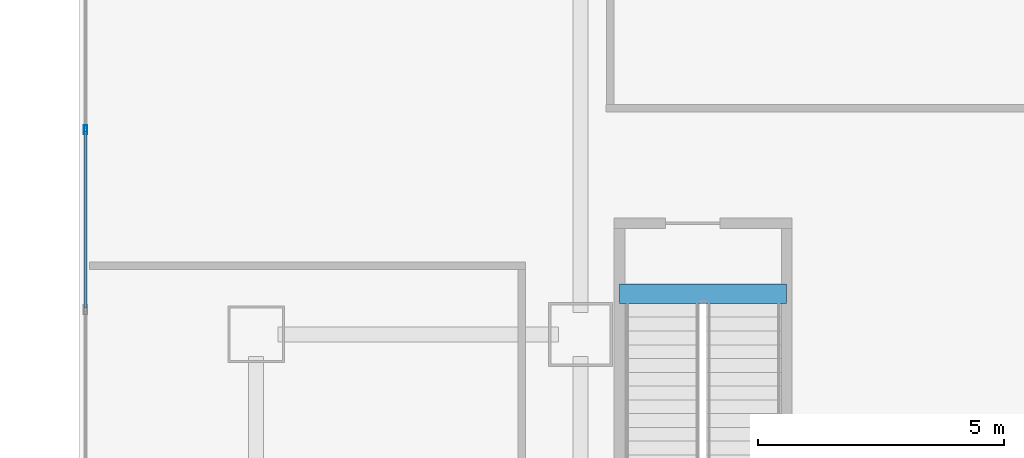
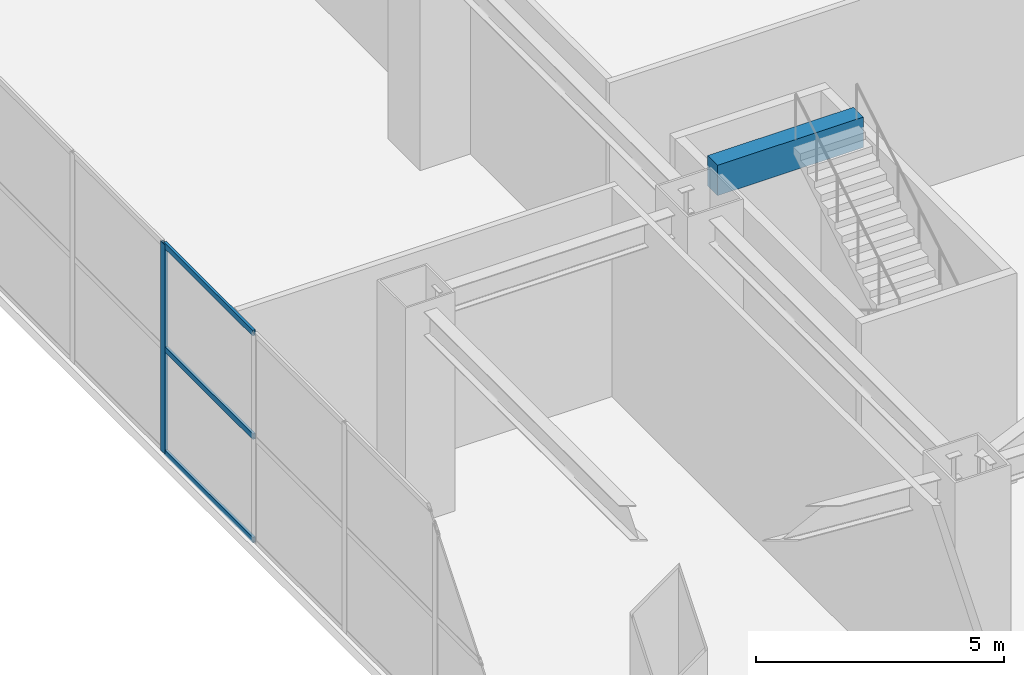
# One storey, part 9 of 37: 4 members, 1 beam, 1 element without a shape of its own.
"""IFC4 building model written with IfcOpenShell, lengths in metres."""

from ifc_helpers import new_model, si_unit, direction, frame, origin, origin_2d, place, context, subcontext, project, spatial, rectangle, hollow_rectangle, extrude, material, layer, layer_set, material_profile, profile_set, type_object, element, aggregate, save


model = new_model("IFC4")

# Units and contexts
model_context = context("Model", 3, precision=1e-05, world=origin(), true_north=direction((0.0, 1.0)))
body_context = subcontext(model_context, "Body", "Model", "MODEL_VIEW")
ifc_project = project(units=[si_unit("LENGTHUNIT", "METRE"), si_unit("AREAUNIT", "SQUARE_METRE"), si_unit("VOLUMEUNIT", "CUBIC_METRE"), si_unit("PLANEANGLEUNIT", "RADIAN"), si_unit("MASSUNIT", "GRAM", prefix="KILO")], contexts=[model_context])

# Site, building, storey
site_placement = place(None, origin())
site = spatial("IfcSite", under=ifc_project, at=site_placement, CompositionType="ELEMENT")
building_placement = place(site_placement, origin())
building = spatial("IfcBuilding", under=site, at=building_placement, Name="Haolan Belvedere Tower", CompositionType="ELEMENT")
storey_placement = place(building_placement, frame((0.0, 0.0, 10.199951171875)))
storey = spatial("IfcBuildingStorey", under=building, at=storey_placement, Name="L02", CompositionType="ELEMENT", Elevation=10.199951171875)

# Beam
ifc_material_1 = material(Name="Concrete C50/60", Category="concrete")
ifc_material_profile_1 = material_profile(ifc_material_1, rectangle(XDim=0.39990234375, YDim=0.75, at=origin_2d()), Name="Concrete C50/60")
ifc_profile_set_1 = profile_set([ifc_material_profile_1], Name="Concrete C50/60")
beam_type = type_object("IfcBeamType", Name="BM-RC400x750", PredefinedType="T_BEAM", material=ifc_profile_set_1)
beam_placement = place(storey_placement, frame((13.389892578125, 28.429931640625, 5.025146484375), z_axis=(1.0, 0.0, 0.0), x_axis=(0.0, 1.0, 0.0)))
element("IfcBeam", 1, at=beam_placement, inside=storey, type_object=beam_type, Name="L03 podium stair ST4 RC header trimmer beam", PredefinedType="BEAM", context=body_context, shape_type="SweptSolid", body=[
    extrude(rectangle(XDim=0.39990234375, YDim=0.75, at=origin_2d()), origin(), (0.0, 0.0, 1.0), 3.400146484375),
])

# Curtain wall, members
ifc_material_2 = material(Name="Anodised champagne-silver aluminium 6063-T6 and Low-E glass", Category="aluminium")
ifc_layer = layer(ifc_material_2, 0.179931640625, Name="Anodised champagne-silver aluminium 6063-T6 and Low-E glass")
ifc_layer_set = layer_set([ifc_layer], Name="Anodised champagne-silver aluminium 6063-T6 and Low-E glass")
curtain_wall_type = type_object("IfcCurtainWallType", Name="CW-SYS-01", PredefinedType="NOTDEFINED", material=ifc_layer_set)
curtain_wall_placement = place(storey_placement, origin())
curtain_wall = element("IfcCurtainWall", 2, at=curtain_wall_placement, inside=storey, type_object=curtain_wall_type, Name="L02 CW-SYS-01 ribbon curtain wall 4.1", PredefinedType="NOTDEFINED")
ifc_material_3 = material(Name="Anodised aluminium 6063-T6", Category="aluminium")
ifc_material_profile_2 = material_profile(ifc_material_3, hollow_rectangle(XDim=0.06494140625, YDim=0.179931640625, WallThickness=0.00390625, at=origin_2d()), Name="Anodised aluminium 6063-T6")
ifc_profile_set_2 = profile_set([ifc_material_profile_2], Name="Anodised aluminium 6063-T6")
member_type_1 = type_object("IfcMemberType", Name="CW-SYS-01-MUL", PredefinedType="MULLION", material=ifc_profile_set_2)
member_1_placement = place(storey_placement, frame((2.530029296875, 31.761962890625, 0.0), z_axis=(0.0, 0.0, 1.0), x_axis=(1.0, 0.0, 0.0)))
member_1 = element("IfcMember", 3, at=member_1_placement, type_object=member_type_1, Name="CW-01 mullion 7", PredefinedType="MULLION", context=body_context, shape_type="SweptSolid", body=[
    extrude(hollow_rectangle(XDim=0.06494140625, YDim=0.179931640625, WallThickness=0.00390625, at=origin_2d()), origin(), (0.0, 0.0, 1.0), 5.16015625),
])
ifc_material_profile_3 = material_profile(ifc_material_3, hollow_rectangle(XDim=0.06005859375, YDim=0.139892578125, WallThickness=0.00390625, at=origin_2d()), Name="Anodised aluminium 6063-T6")
ifc_profile_set_3 = profile_set([ifc_material_profile_3], Name="Anodised aluminium 6063-T6")
member_type_2 = type_object("IfcMemberType", Name="CW-SYS-01-TRN", PredefinedType="USERDEFINED", material=ifc_profile_set_3)
member_2_placement = place(storey_placement, frame((2.530029296875, 31.7294921875, 0.030029296875), z_axis=(0.0, -1.0, 0.0), x_axis=(1.0, 0.0, 0.0)))
member_2 = element("IfcMember", 4, at=member_2_placement, type_object=member_type_2, Name="CW-01 transom 7.1", ObjectType="TRANSOM", PredefinedType="USERDEFINED", context=body_context, shape_type="SweptSolid", body=[
    extrude(hollow_rectangle(XDim=0.06005859375, YDim=0.139892578125, WallThickness=0.00390625, at=origin_2d()), origin(), (0.0, 0.0, 1.0), 3.596435546875),
])
member_3_placement = place(storey_placement, frame((2.530029296875, 31.7294921875, 2.580078125), z_axis=(0.0, -1.0, 0.0), x_axis=(1.0, 0.0, 0.0)))
member_3 = element("IfcMember", 5, at=member_3_placement, type_object=member_type_2, Name="CW-01 transom 7.2", ObjectType="TRANSOM", PredefinedType="USERDEFINED", context=body_context, shape_type="SweptSolid", body=[
    extrude(hollow_rectangle(XDim=0.06005859375, YDim=0.139892578125, WallThickness=0.00390625, at=origin_2d()), origin(), (0.0, 0.0, 1.0), 3.596435546875),
])
member_4_placement = place(storey_placement, frame((2.530029296875, 31.7294921875, 5.130126953125), z_axis=(0.0, -1.0, 0.0), x_axis=(1.0, 0.0, 0.0)))
member_4 = element("IfcMember", 6, at=member_4_placement, type_object=member_type_2, Name="CW-01 transom 7.3", ObjectType="TRANSOM", PredefinedType="USERDEFINED", context=body_context, shape_type="SweptSolid", body=[
    extrude(hollow_rectangle(XDim=0.06005859375, YDim=0.139892578125, WallThickness=0.00390625, at=origin_2d()), origin(), (0.0, 0.0, 1.0), 3.596435546875),
])
aggregate(curtain_wall, [member_1, member_2, member_3, member_4])

save(model, "model.ifc")
